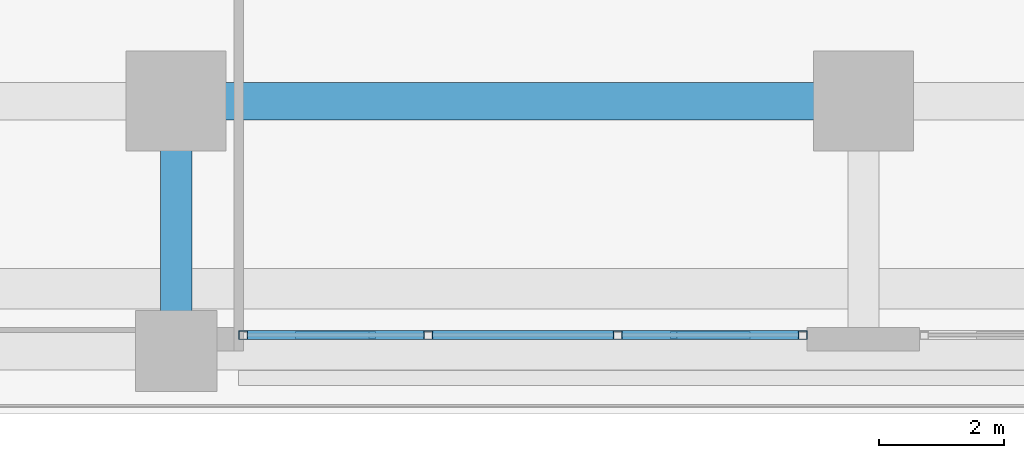
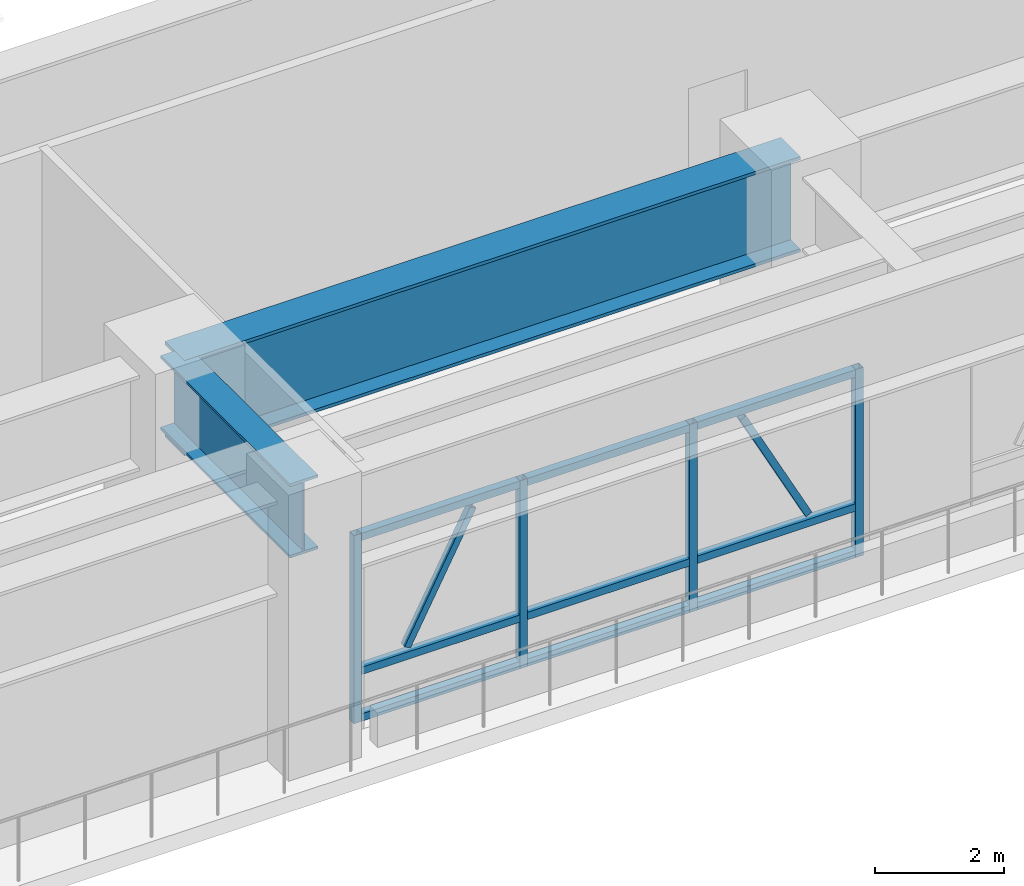
# One storey, part 2 of 28: 15 members, 2 beams, 1 element without a shape of its own.
"""IFC4 building model written with IfcOpenShell, lengths in metres."""

from ifc_helpers import new_model, si_unit, direction, frame, origin, origin_2d, place, context, subcontext, project, spatial, hollow_rectangle, i_section, extrude, source, transform, mapped, material, material_profile, profile_set, type_object, element, aggregate, save


model = new_model("IFC4")

# Units and contexts
model_context = context("Model", 3, precision=1e-05, world=origin(), true_north=direction((0.0, 1.0)))
body_context = subcontext(model_context, "Body", "Model", "MODEL_VIEW")
ifc_project = project(units=[si_unit("LENGTHUNIT", "METRE"), si_unit("AREAUNIT", "SQUARE_METRE"), si_unit("VOLUMEUNIT", "CUBIC_METRE"), si_unit("PLANEANGLEUNIT", "RADIAN"), si_unit("MASSUNIT", "GRAM", prefix="KILO")], contexts=[model_context])

# Site, building, storey
site_placement = place(None, origin())
site = spatial("IfcSite", under=ifc_project, at=site_placement, CompositionType="ELEMENT")
building_placement = place(site_placement, origin())
building = spatial("IfcBuilding", under=site, at=building_placement, Name="Khorayat Bourse Tower", CompositionType="ELEMENT")
storey_placement = place(building_placement, frame((0.0, 0.0, 12.0)))
storey = spatial("IfcBuildingStorey", under=building, at=storey_placement, Name="L02", CompositionType="ELEMENT", Elevation=12.0)

# Beams
ifc_material_1 = material(Name="Steel EN 10025-4 S460M", Category="steel")
ifc_material_profile_1 = material_profile(ifc_material_1, i_section(OverallWidth=0.60009765625, OverallDepth=1.800048828125, WebThickness=0.031982421875, FlangeThickness=0.06005859375, at=origin_2d()), Name="PG 1800x600x32x60")
ifc_profile_set_1 = profile_set([ifc_material_profile_1], Name="Steel EN 10025-4 S460M")
beam_type_1 = type_object("IfcBeamType", Name="BM-TR-1800", PredefinedType="BEAM", material=ifc_profile_set_1)
shared_shape_1 = source(origin(), body_context, "Body", "SweptSolid", [
    extrude(i_section(OverallWidth=0.60009765625, OverallDepth=1.800048828125, WebThickness=0.031982421875, FlangeThickness=0.06005859375, at=origin_2d()), origin(), (0.0, 0.0, 1.0), 11.0),
])
beam_1_placement = place(storey_placement, frame((-11.0, -32.0, 4.179931640625), z_axis=(1.0, 0.0, 0.0), x_axis=(0.0, 1.0, 0.0)))
element("IfcBeam", 1, at=beam_1_placement, inside=storey, type_object=beam_type_1, Name="L02 BM-TR-1800 BM-L02-PGX-039", PredefinedType="BEAM", context=body_context, shape_type="MappedRepresentation", body=[
    mapped(shared_shape_1, transform((0.0, 0.0, 0.0), scale=1.0)),
])
ifc_material_profile_2 = material_profile(ifc_material_1, i_section(OverallWidth=0.5, OverallDepth=1.39990234375, WebThickness=0.02490234375, FlangeThickness=0.050048828125, at=origin_2d()), Name="PG 1400x500x25x50")
ifc_profile_set_2 = profile_set([ifc_material_profile_2], Name="Steel EN 10025-4 S460M")
beam_type_2 = type_object("IfcBeamType", Name="BM-TR-1400", PredefinedType="BEAM", material=ifc_profile_set_2)
shared_shape_2 = source(origin(), body_context, "Body", "SweptSolid", [
    extrude(i_section(OverallWidth=0.5, OverallDepth=1.39990234375, WebThickness=0.02490234375, FlangeThickness=0.050048828125, at=origin_2d()), origin(), (0.0, 0.0, 1.0), 4.0),
])
beam_2_placement = place(storey_placement, frame((-11.0, -36.0, 4.3798828125), z_axis=(0.0, 1.0, 0.0), x_axis=(-1.0, 0.0, 0.0)))
element("IfcBeam", 2, at=beam_2_placement, inside=storey, type_object=beam_type_2, Name="L02 BM-TR-1400 BM-L02-PGY-128", PredefinedType="BEAM", context=body_context, shape_type="MappedRepresentation", body=[
    mapped(shared_shape_2, transform((0.0, 0.0, 0.0), scale=1.0)),
])

# Curtain wall, members
ifc_material_2 = material(Name="Aluminium EN AW-6063 T6", Category="aluminium")
curtain_wall_type = type_object("IfcCurtainWallType", Name="CW-SYS-01", PredefinedType="NOTDEFINED", material=ifc_material_2)
curtain_wall_placement = place(storey_placement, origin())
curtain_wall = element("IfcCurtainWall", 3, at=curtain_wall_placement, inside=storey, type_object=curtain_wall_type, Name="L02 Curtain Wall CW-L02-SW", PredefinedType="NOTDEFINED")
ifc_material_profile_3 = material_profile(ifc_material_2, hollow_rectangle(XDim=0.139892578125, YDim=0.139892578125, WallThickness=0.006103515625, at=origin_2d()), Name="ALU 140x140x6")
ifc_profile_set_3 = profile_set([ifc_material_profile_3], Name="Aluminium EN AW-6063 T6")
member_type_1 = type_object("IfcMemberType", Name="CWT-HORZ-140", PredefinedType="USERDEFINED", material=ifc_profile_set_3)
shared_shape_3 = source(origin(), body_context, "Body", "SweptSolid", [
    extrude(hollow_rectangle(XDim=0.139892578125, YDim=0.139892578125, WallThickness=0.006103515625, at=origin_2d()), origin(), (0.0, 0.0, 1.0), 2.823486328125),
])
member_1_placement = place(storey_placement, frame((-9.860107421875, -35.742919921875, 0.070068359375), z_axis=(1.0, 0.0, 0.0), x_axis=(0.0, 1.0, 0.0)))
member_1 = element("IfcMember", 4, at=member_1_placement, type_object=member_type_1, Name="CW-L02-SW Horizontal Transom 1-1", ObjectType="TRANSOM", PredefinedType="USERDEFINED", context=body_context, shape_type="MappedRepresentation", body=[
    mapped(shared_shape_3, transform((0.0, 0.0, 0.0), scale=1.0)),
])
member_2_placement = place(storey_placement, frame((-9.860107421875, -35.742919921875, 0.949951171875), z_axis=(1.0, 0.0, 0.0), x_axis=(0.0, 1.0, 0.0)))
member_2 = element("IfcMember", 5, at=member_2_placement, type_object=member_type_1, Name="CW-L02-SW Horizontal Transom 1-2", ObjectType="TRANSOM", PredefinedType="USERDEFINED", context=body_context, shape_type="MappedRepresentation", body=[
    mapped(shared_shape_3, transform((0.0, 0.0, 0.0), scale=1.0)),
])
member_3_placement = place(storey_placement, frame((-9.860107421875, -35.742919921875, 3.47998046875), z_axis=(1.0, 0.0, 0.0), x_axis=(0.0, 1.0, 0.0)))
member_3 = element("IfcMember", 6, at=member_3_placement, type_object=member_type_1, Name="CW-L02-SW Horizontal Transom 1-3", ObjectType="TRANSOM", PredefinedType="USERDEFINED", context=body_context, shape_type="MappedRepresentation", body=[
    mapped(shared_shape_3, transform((0.0, 0.0, 0.0), scale=1.0)),
])
ifc_material_profile_4 = material_profile(ifc_material_2, hollow_rectangle(XDim=0.1201171875, YDim=0.1201171875, WallThickness=0.0048828125, at=origin_2d()), Name="ALU 120x120x5")
ifc_profile_set_4 = profile_set([ifc_material_profile_4], Name="Aluminium EN AW-6063 T6")
member_type_2 = type_object("IfcMemberType", Name="CWM-DIAG-120", PredefinedType="MULLION", material=ifc_profile_set_4)
shared_shape_4 = source(origin(), body_context, "Body", "SweptSolid", [
    extrude(hollow_rectangle(XDim=0.1201171875, YDim=0.1201171875, WallThickness=0.0048828125, at=origin_2d()), origin(), (0.0, 0.0, 1.0), 2.52001953125),
])
member_4_placement = place(storey_placement, frame((-9.03515625, -35.742919921875, 1.10009765625), z_axis=(0.465718481425, 0.0, 0.884932933085), x_axis=(0.0, 1.0, 0.0)))
member_4 = element("IfcMember", 7, at=member_4_placement, type_object=member_type_2, Name="CW-L02-SW Faceted Diagonal Mullion 1", PredefinedType="MULLION", context=body_context, shape_type="MappedRepresentation", body=[
    mapped(shared_shape_4, transform((0.0, 0.0, 0.0), scale=1.0)),
])
member_5_placement = place(storey_placement, frame((-1.86474609375, -35.742919921875, 1.10009765625), z_axis=(-0.465794346287, 0.0, 0.884893003118), x_axis=(0.0, -1.0, 0.0)))
member_5 = element("IfcMember", 8, at=member_5_placement, type_object=member_type_2, Name="CW-L02-SW Faceted Diagonal Mullion 3", PredefinedType="MULLION", context=body_context, shape_type="MappedRepresentation", body=[
    mapped(shared_shape_4, transform((0.0, 0.0, 0.0), scale=1.0)),
])
shared_shape_5 = source(origin(), body_context, "Body", "SweptSolid", [
    extrude(hollow_rectangle(XDim=0.139892578125, YDim=0.139892578125, WallThickness=0.006103515625, at=origin_2d()), origin(), (0.0, 0.0, 1.0), 2.893310546875),
])
member_6_placement = place(storey_placement, frame((-6.896728515625, -35.742919921875, 0.070068359375), z_axis=(1.0, 0.0, 0.0), x_axis=(0.0, 1.0, 0.0)))
member_6 = element("IfcMember", 9, at=member_6_placement, type_object=member_type_1, Name="CW-L02-SW Horizontal Transom 2-1", ObjectType="TRANSOM", PredefinedType="USERDEFINED", context=body_context, shape_type="MappedRepresentation", body=[
    mapped(shared_shape_5, transform((0.0, 0.0, 0.0), scale=1.0)),
])
member_7_placement = place(storey_placement, frame((-6.896728515625, -35.742919921875, 0.949951171875), z_axis=(1.0, 0.0, 0.0), x_axis=(0.0, 1.0, 0.0)))
member_7 = element("IfcMember", 10, at=member_7_placement, type_object=member_type_1, Name="CW-L02-SW Horizontal Transom 2-2", ObjectType="TRANSOM", PredefinedType="USERDEFINED", context=body_context, shape_type="MappedRepresentation", body=[
    mapped(shared_shape_5, transform((0.0, 0.0, 0.0), scale=1.0)),
])
member_8_placement = place(storey_placement, frame((-6.896728515625, -35.742919921875, 3.47998046875), z_axis=(1.0, 0.0, 0.0), x_axis=(0.0, 1.0, 0.0)))
member_8 = element("IfcMember", 11, at=member_8_placement, type_object=member_type_1, Name="CW-L02-SW Horizontal Transom 2-3", ObjectType="TRANSOM", PredefinedType="USERDEFINED", context=body_context, shape_type="MappedRepresentation", body=[
    mapped(shared_shape_5, transform((0.0, 0.0, 0.0), scale=1.0)),
])
shared_shape_6 = source(origin(), body_context, "Body", "SweptSolid", [
    extrude(hollow_rectangle(XDim=0.139892578125, YDim=0.139892578125, WallThickness=0.006103515625, at=origin_2d()), origin(), (0.0, 0.0, 1.0), 2.8232421875),
])
member_9_placement = place(storey_placement, frame((-3.86328125, -35.742919921875, 0.070068359375), z_axis=(1.0, 0.0, 0.0), x_axis=(0.0, 1.0, 0.0)))
member_9 = element("IfcMember", 12, at=member_9_placement, type_object=member_type_1, Name="CW-L02-SW Horizontal Transom 3-1", ObjectType="TRANSOM", PredefinedType="USERDEFINED", context=body_context, shape_type="MappedRepresentation", body=[
    mapped(shared_shape_6, transform((0.0, 0.0, 0.0), scale=1.0)),
])
member_10_placement = place(storey_placement, frame((-3.86328125, -35.742919921875, 0.949951171875), z_axis=(1.0, 0.0, 0.0), x_axis=(0.0, 1.0, 0.0)))
member_10 = element("IfcMember", 13, at=member_10_placement, type_object=member_type_1, Name="CW-L02-SW Horizontal Transom 3-2", ObjectType="TRANSOM", PredefinedType="USERDEFINED", context=body_context, shape_type="MappedRepresentation", body=[
    mapped(shared_shape_6, transform((0.0, 0.0, 0.0), scale=1.0)),
])
member_11_placement = place(storey_placement, frame((-3.86328125, -35.742919921875, 3.47998046875), z_axis=(1.0, 0.0, 0.0), x_axis=(0.0, 1.0, 0.0)))
member_11 = element("IfcMember", 14, at=member_11_placement, type_object=member_type_1, Name="CW-L02-SW Horizontal Transom 3-3", ObjectType="TRANSOM", PredefinedType="USERDEFINED", context=body_context, shape_type="MappedRepresentation", body=[
    mapped(shared_shape_6, transform((0.0, 0.0, 0.0), scale=1.0)),
])
ifc_material_profile_5 = material_profile(ifc_material_2, hollow_rectangle(XDim=0.139892578125, YDim=0.139892578125, WallThickness=0.006103515625, at=origin_2d()), Name="ALU 140x140x6")
ifc_profile_set_5 = profile_set([ifc_material_profile_5], Name="Aluminium EN AW-6063 T6")
member_type_3 = type_object("IfcMemberType", Name="CWM-VERT-140", PredefinedType="MULLION", material=ifc_profile_set_5)
shared_shape_7 = source(origin(), body_context, "Body", "SweptSolid", [
    extrude(hollow_rectangle(XDim=0.139892578125, YDim=0.139892578125, WallThickness=0.006103515625, at=origin_2d()), origin(), (0.0, 0.0, 1.0), 3.550048828125),
])
member_12_placement = place(storey_placement, frame((-9.929931640625, -35.742919921875, 0.0), z_axis=(0.0, 0.0, 1.0), x_axis=(0.0, 1.0, 0.0)))
member_12 = element("IfcMember", 15, at=member_12_placement, type_object=member_type_3, Name="CW-L02-SW Vertical Mullion 1", PredefinedType="MULLION", context=body_context, shape_type="MappedRepresentation", body=[
    mapped(shared_shape_7, transform((0.0, 0.0, 0.0), scale=1.0)),
])
member_13_placement = place(storey_placement, frame((-6.966552734375, -35.742919921875, 0.0), z_axis=(0.0, 0.0, 1.0), x_axis=(0.0, 1.0, 0.0)))
member_13 = element("IfcMember", 16, at=member_13_placement, type_object=member_type_3, Name="CW-L02-SW Vertical Mullion 2", PredefinedType="MULLION", context=body_context, shape_type="MappedRepresentation", body=[
    mapped(shared_shape_7, transform((0.0, 0.0, 0.0), scale=1.0)),
])
member_14_placement = place(storey_placement, frame((-3.933349609375, -35.742919921875, 0.0), z_axis=(0.0, 0.0, 1.0), x_axis=(0.0, 1.0, 0.0)))
member_14 = element("IfcMember", 17, at=member_14_placement, type_object=member_type_3, Name="CW-L02-SW Vertical Mullion 3", PredefinedType="MULLION", context=body_context, shape_type="MappedRepresentation", body=[
    mapped(shared_shape_7, transform((0.0, 0.0, 0.0), scale=1.0)),
])
member_15_placement = place(storey_placement, frame((-0.969970703125, -35.742919921875, 0.0), z_axis=(0.0, 0.0, 1.0), x_axis=(0.0, 1.0, 0.0)))
member_15 = element("IfcMember", 18, at=member_15_placement, type_object=member_type_3, Name="CW-L02-SW Vertical Mullion 4", PredefinedType="MULLION", context=body_context, shape_type="MappedRepresentation", body=[
    mapped(shared_shape_7, transform((0.0, 0.0, 0.0), scale=1.0)),
])
aggregate(curtain_wall, [member_12, member_13, member_14, member_15, member_1, member_2, member_3, member_4, member_6, member_7, member_8, member_9, member_10, member_11, member_5])

save(model, "model.ifc")
